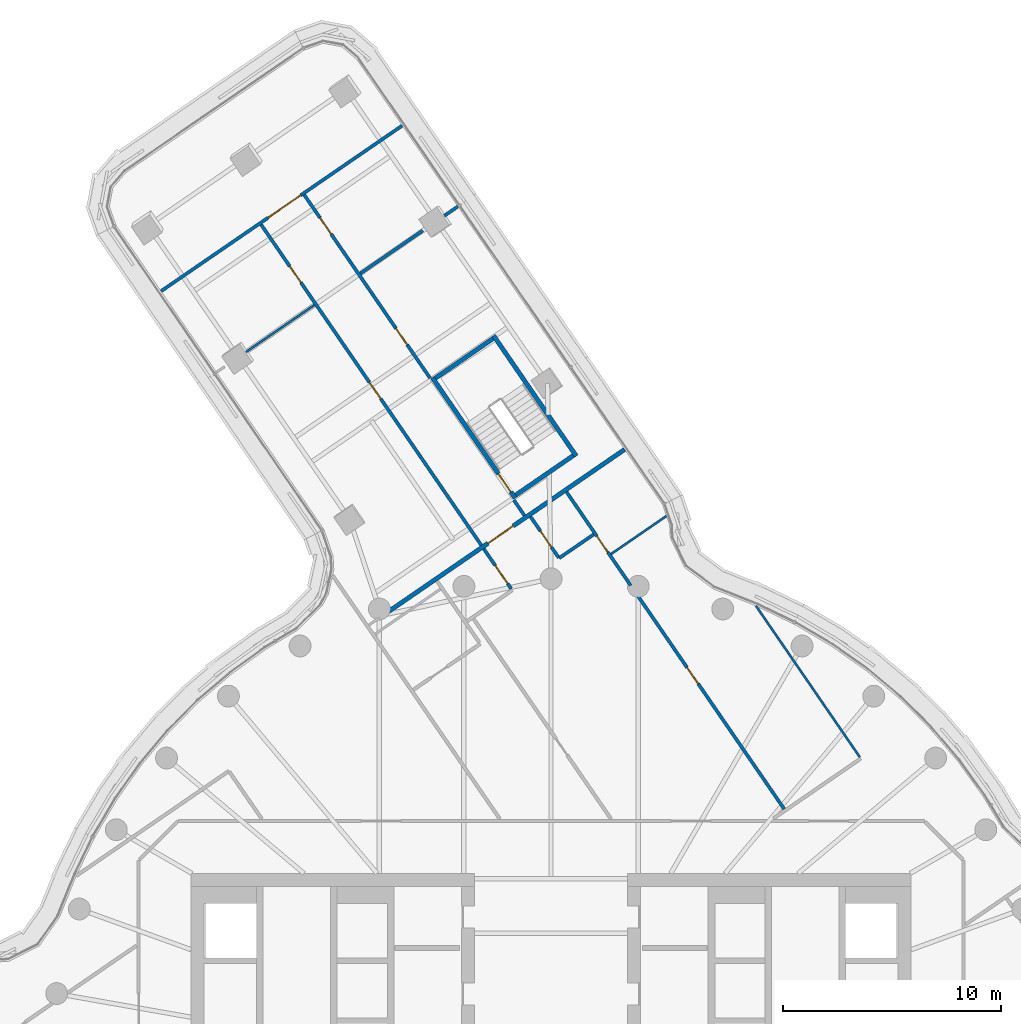
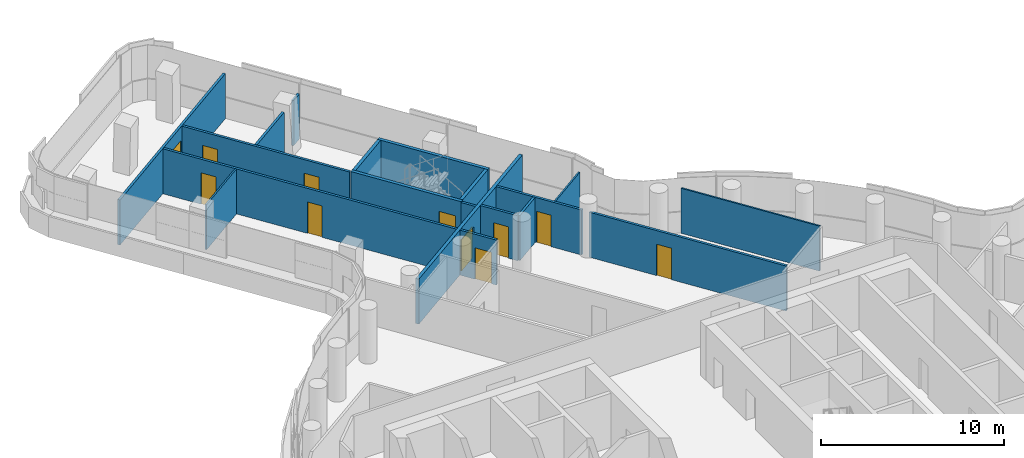
# One storey, part 25 of 33: 18 walls, 11 doors, 11 openings.
"""IFC4 building model written with IfcOpenShell, lengths in metres."""

from ifc_helpers import new_model, si_unit, direction, frame, frame_2d, origin, place, context, subcontext, project, spatial, polyline, rectangle, outline, extrude, material, layer, layer_set, type_object, element, fill, save


model = new_model("IFC4")

# Units and contexts
model_context = context("Model", 3, precision=1e-05, world=origin(), true_north=direction((0.0, 1.0)))
body_context = subcontext(model_context, "Body", "Model", "MODEL_VIEW")
ifc_project = project(units=[si_unit("LENGTHUNIT", "METRE"), si_unit("AREAUNIT", "SQUARE_METRE"), si_unit("VOLUMEUNIT", "CUBIC_METRE"), si_unit("PLANEANGLEUNIT", "RADIAN"), si_unit("MASSUNIT", "GRAM", prefix="KILO")], contexts=[model_context])

# Site, building, storey
site_placement = place(None, origin())
site = spatial("IfcSite", under=ifc_project, at=site_placement, CompositionType="ELEMENT")
building_placement = place(site_placement, origin())
building = spatial("IfcBuilding", under=site, at=building_placement, Name="Tamarind Cross Interchange Tower", CompositionType="ELEMENT")
storey_placement = place(building_placement, frame((0.0, 0.0, 159.25)))
storey = spatial("IfcBuildingStorey", under=building, at=storey_placement, Name="L39", CompositionType="ELEMENT", Elevation=159.25)

# Walls
ifc_material_1 = material(Name="Gypsum board partition on steel studs", Category="steel")
ifc_layer_1 = layer(ifc_material_1, 0.10009765625)
ifc_layer_set_1 = layer_set([ifc_layer_1], Name="Gypsum board partition on steel studs")
wall_type_1 = type_object("IfcWallType", Name="Partition 100 mm EI 90", PredefinedType="PARTITIONING", material=ifc_layer_set_1)
wall_1_placement = place(storey_placement, frame((9.3876953125, 21.755126953125, 0.0), z_axis=(0.0, 0.0, 1.0), x_axis=(0.566078955543, -0.824351027228, 0.0)))
element("IfcWall", 1, at=wall_1_placement, inside=storey, type_object=wall_type_1, Name="Partition L39-030", PredefinedType="PARTITIONING", context=body_context, shape_type="SweptSolid", body=[
    extrude(rectangle(XDim=8.408203125, YDim=0.10009765625, at=frame_2d((4.2041015625, 0.0))), origin(), (0.0, 0.0, 1.0), 3.010009765625),
])
wall_2_placement = place(storey_placement, frame((-13.970703125, 33.392333984375, 0.0), z_axis=(0.0, 0.0, 1.0), x_axis=(0.824274770578, 0.566189988069, 0.0)))
element("IfcWall", 2, at=wall_2_placement, inside=storey, type_object=wall_type_1, Name="Partition L39-052", PredefinedType="PARTITIONING", context=body_context, shape_type="SweptSolid", body=[
    extrude(rectangle(XDim=3.79248046875, YDim=0.10009765625, at=frame_2d((1.896240234375, 0.0))), origin(), (0.0, 0.0, 1.0), 3.010009765625),
])
wall_3_placement = place(storey_placement, frame((2.75146484375, 24.133056640625, 0.0), z_axis=(0.0, 0.0, 1.0), x_axis=(0.824324458203, 0.566117644672, 0.0)))
element("IfcWall", 3, at=wall_3_placement, inside=storey, type_object=wall_type_1, Name="Partition L39-058", PredefinedType="PARTITIONING", context=body_context, shape_type="SweptSolid", body=[
    extrude(rectangle(XDim=3.074951171875, YDim=0.10009765625, at=frame_2d((1.53759765625, 0.0))), origin(), (0.0, 0.0, 1.0), 3.010009765625),
])

# Wall, openings, doors
ifc_layer_2 = layer(ifc_material_1, 0.14990234375)
ifc_layer_set_2 = layer_set([ifc_layer_2], Name="Gypsum board partition on steel studs")
wall_type_2 = type_object("IfcWallType", Name="Partition 150 mm EI 120", PredefinedType="PARTITIONING", material=ifc_layer_set_2)
wall_4_placement = place(storey_placement, frame((-13.28466796875, 39.22509765625, 0.0), z_axis=(0.0, 0.0, 1.0), x_axis=(0.566080388425, -0.824350043271, 0.0)))
wall_4 = element("IfcWall", 4, at=wall_4_placement, inside=storey, type_object=wall_type_2, Name="Partition L39-013", PredefinedType="PARTITIONING", context=body_context, shape_type="SweptSolid", body=[
    extrude(rectangle(XDim=20.244384765625, YDim=0.14990234375, at=frame_2d((10.1220703125, 0.0))), origin(), (0.0, 0.0, 1.0), 3.010009765625),
])
opening_1_placement = place(wall_4_placement, frame((18.949951171875, 0.0, 0.0)))
opening_1 = element("IfcOpeningElement", 5, at=opening_1_placement, cuts=wall_4, Name="Opening D03", PredefinedType="OPENING", context=body_context, shape_type="SweptSolid", body=[
    extrude(rectangle(XDim=1.0, YDim=2.10009765625, at=frame_2d((0.5, 1.050048828125))), frame((0.0, 0.0849609375, 0.0), z_axis=(0.0, -1.0, 0.0), x_axis=(1.0, 0.0, 0.0)), (0.0, 0.0, 1.0), 0.169921875),
])
opening_2_placement = place(wall_4_placement, frame((8.769287109375, 0.0, 0.0)))
opening_2 = element("IfcOpeningElement", 6, at=opening_2_placement, cuts=wall_4, Name="Opening D04", PredefinedType="OPENING", context=body_context, shape_type="SweptSolid", body=[
    extrude(rectangle(XDim=0.89990234375, YDim=2.10009765625, at=frame_2d((0.449951171875, 1.050048828125))), frame((0.0, 0.0849609375, 0.0), z_axis=(0.0, -1.0, 0.0), x_axis=(1.0, 0.0, 0.0)), (0.0, 0.0, 1.0), 0.169921875),
])
opening_3_placement = place(wall_4_placement, frame((2.320068359375, 0.0, 0.0)))
opening_3 = element("IfcOpeningElement", 7, at=opening_3_placement, cuts=wall_4, Name="Opening D05", PredefinedType="OPENING", context=body_context, shape_type="SweptSolid", body=[
    extrude(rectangle(XDim=0.89990234375, YDim=2.10009765625, at=frame_2d((0.449951171875, 1.050048828125))), frame((0.0, 0.0849609375, 0.0), z_axis=(0.0, -1.0, 0.0), x_axis=(1.0, 0.0, 0.0)), (0.0, 0.0, 1.0), 0.169921875),
])
ifc_material_2 = material(Name="Fire-resisting door set")
door_type_1 = type_object("IfcDoorType", Name="Interior door 1000 x 2100 FD60S", OperationType="SINGLE_SWING_LEFT", PredefinedType="DOOR", material=ifc_material_2)
door_1_placement = place(opening_1_placement, frame((1.0, 0.0, 0.0), z_axis=(0.0, 0.0, 1.0), x_axis=(-1.0, 0.0, 0.0)))
door_1 = element("IfcDoor", 8, at=door_1_placement, inside=storey, type_object=door_type_1, Name="Door D03", OperationType="SINGLE_SWING_RIGHT", OverallHeight=2.10009765625, OverallWidth=1.0, PredefinedType="DOOR", context=body_context, shape_type="SweptSolid", body=[
    extrude(rectangle(XDim=1.0, YDim=2.10009765625, at=frame_2d((0.5, 1.050048828125))), frame((0.0, 0.02490234375, 0.0), z_axis=(0.0, -1.0, 0.0), x_axis=(1.0, 0.0, 0.0)), (0.0, 0.0, 1.0), 0.050048828125),
])
fill(opening_1, door_1)
door_type_2 = type_object("IfcDoorType", Name="Interior door 900 x 2100 FD60S", OperationType="SINGLE_SWING_LEFT", PredefinedType="DOOR", material=ifc_material_2)
door_2_placement = place(opening_2_placement, frame((0.89990234375, 0.0, 0.0), z_axis=(0.0, 0.0, 1.0), x_axis=(-1.0, 0.0, 0.0)))
door_2 = element("IfcDoor", 9, at=door_2_placement, inside=storey, type_object=door_type_2, Name="Door D04", OperationType="SINGLE_SWING_LEFT", OverallHeight=2.10009765625, OverallWidth=0.89990234375, PredefinedType="DOOR", context=body_context, shape_type="SweptSolid", body=[
    extrude(rectangle(XDim=0.89990234375, YDim=2.10009765625, at=frame_2d((0.449951171875, 1.050048828125))), frame((0.0, 0.02490234375, 0.0), z_axis=(0.0, -1.0, 0.0), x_axis=(1.0, 0.0, 0.0)), (0.0, 0.0, 1.0), 0.050048828125),
])
fill(opening_2, door_2)
door_3_placement = place(opening_3_placement, frame((0.89990234375, 0.0, 0.0), z_axis=(0.0, 0.0, 1.0), x_axis=(-1.0, 0.0, 0.0)))
door_3 = element("IfcDoor", 10, at=door_3_placement, inside=storey, type_object=door_type_2, Name="Door D05", OperationType="SINGLE_SWING_LEFT", OverallHeight=2.10009765625, OverallWidth=0.89990234375, PredefinedType="DOOR", context=body_context, shape_type="SweptSolid", body=[
    extrude(rectangle(XDim=0.89990234375, YDim=2.10009765625, at=frame_2d((0.449951171875, 1.050048828125))), frame((0.0, 0.02490234375, 0.0), z_axis=(0.0, -1.0, 0.0), x_axis=(1.0, 0.0, 0.0)), (0.0, 0.0, 1.0), 0.050048828125),
])
fill(opening_3, door_3)

wall_5_placement = place(storey_placement, frame((-11.306640625, 40.583984375, 0.0), z_axis=(0.0, 0.0, 1.0), x_axis=(0.566109403813, -0.82433011768, 0.0)))
wall_5 = element("IfcWall", 11, at=wall_5_placement, inside=storey, type_object=wall_type_2, Name="Partition L39-014", PredefinedType="PARTITIONING", context=body_context, shape_type="SweptSolid", body=[
    extrude(rectangle(XDim=10.179931640625, YDim=0.14990234375, at=frame_2d((5.08984375, 0.0))), origin(), (0.0, 0.0, 1.0), 3.010009765625),
])
opening_4_placement = place(wall_5_placement, frame((1.27001953125, 0.0, 0.0)))
opening_4 = element("IfcOpeningElement", 12, at=opening_4_placement, cuts=wall_5, Name="Opening D06", PredefinedType="OPENING", context=body_context, shape_type="SweptSolid", body=[
    extrude(rectangle(XDim=0.89990234375, YDim=2.10009765625, at=frame_2d((0.449951171875, 1.050048828125))), frame((0.0, 0.0849609375, 0.0), z_axis=(0.0, -1.0, 0.0), x_axis=(1.0, 0.0, 0.0)), (0.0, 0.0, 1.0), 0.169921875),
])
opening_5_placement = place(wall_5_placement, frame((7.420654296875, 0.0, 0.0)))
opening_5 = element("IfcOpeningElement", 13, at=opening_5_placement, cuts=wall_5, Name="Opening D07", PredefinedType="OPENING", context=body_context, shape_type="SweptSolid", body=[
    extrude(rectangle(XDim=0.89990234375, YDim=2.10009765625, at=frame_2d((0.449951171875, 1.050048828125))), frame((0.0, 0.0849609375, 0.0), z_axis=(0.0, -1.0, 0.0), x_axis=(1.0, 0.0, 0.0)), (0.0, 0.0, 1.0), 0.169921875),
])
door_4_placement = place(opening_4_placement, origin())
door_4 = element("IfcDoor", 14, at=door_4_placement, inside=storey, type_object=door_type_2, Name="Door D06", OperationType="SINGLE_SWING_RIGHT", OverallHeight=2.10009765625, OverallWidth=0.89990234375, PredefinedType="DOOR", context=body_context, shape_type="SweptSolid", body=[
    extrude(rectangle(XDim=0.89990234375, YDim=2.10009765625, at=frame_2d((0.449951171875, 1.050048828125))), frame((0.0, 0.02490234375, 0.0), z_axis=(0.0, -1.0, 0.0), x_axis=(1.0, 0.0, 0.0)), (0.0, 0.0, 1.0), 0.050048828125),
])
fill(opening_4, door_4)
door_5_placement = place(opening_5_placement, origin())
door_5 = element("IfcDoor", 15, at=door_5_placement, inside=storey, type_object=door_type_2, Name="Door D07", OperationType="SINGLE_SWING_LEFT", OverallHeight=2.10009765625, OverallWidth=0.89990234375, PredefinedType="DOOR", context=body_context, shape_type="SweptSolid", body=[
    extrude(rectangle(XDim=0.89990234375, YDim=2.10009765625, at=frame_2d((0.449951171875, 1.050048828125))), frame((0.0, 0.02490234375, 0.0), z_axis=(0.0, -1.0, 0.0), x_axis=(1.0, 0.0, 0.0)), (0.0, 0.0, 1.0), 0.050048828125),
])
fill(opening_5, door_5)

# Wall
wall_6_placement = place(storey_placement, frame((-1.705078125, 26.602783203125, 0.0), z_axis=(0.0, 0.0, 1.0), x_axis=(0.566118871714, -0.824323615511, 0.0)))
element("IfcWall", 16, at=wall_6_placement, inside=storey, type_object=wall_type_2, Name="Partition L39-015", PredefinedType="PARTITIONING", context=body_context, shape_type="SweptSolid", body=[
    extrude(rectangle(XDim=0.859375, YDim=0.14990234375, at=frame_2d((0.4296875, 0.0))), origin(), (0.0, 0.0, 1.0), 3.010009765625),
])

# Wall, opening, door
wall_7_placement = place(storey_placement, frame((-0.9404296875, 25.842529296875, 0.0), z_axis=(0.0, 0.0, 1.0), x_axis=(0.566260656611, -0.82422622427, 0.0)))
wall_7 = element("IfcWall", 17, at=wall_7_placement, inside=storey, type_object=wall_type_2, Name="Partition L39-023", PredefinedType="PARTITIONING", context=body_context, shape_type="SweptSolid", body=[
    extrude(rectangle(XDim=2.27978515625, YDim=0.14990234375, at=frame_2d((1.139892578125, 0.0))), origin(), (0.0, 0.0, 1.0), 3.010009765625),
])
opening_6_placement = place(wall_7_placement, frame((0.800048828125, 0.0, 0.0)))
opening_6 = element("IfcOpeningElement", 18, at=opening_6_placement, cuts=wall_7, Name="Opening D11", PredefinedType="OPENING", context=body_context, shape_type="SweptSolid", body=[
    extrude(rectangle(XDim=0.89990234375, YDim=2.10009765625, at=frame_2d((0.449951171875, 1.050048828125))), frame((0.0, 0.0849609375, 0.0), z_axis=(0.0, -1.0, 0.0), x_axis=(1.0, 0.0, 0.0)), (0.0, 0.0, 1.0), 0.169921875),
])
door_6_placement = place(opening_6_placement, origin())
door_6 = element("IfcDoor", 19, at=door_6_placement, inside=storey, type_object=door_type_2, Name="Door D11", OperationType="SINGLE_SWING_LEFT", OverallHeight=2.10009765625, OverallWidth=0.89990234375, PredefinedType="DOOR", context=body_context, shape_type="SweptSolid", body=[
    extrude(rectangle(XDim=0.89990234375, YDim=2.10009765625, at=frame_2d((0.449951171875, 1.050048828125))), frame((0.0, 0.02490234375, 0.0), z_axis=(0.0, -1.0, 0.0), x_axis=(1.0, 0.0, 0.0)), (0.0, 0.0, 1.0), 0.050048828125),
])
fill(opening_6, door_6)

wall_8_placement = place(storey_placement, frame((0.70849609375, 26.974609375, 0.0), z_axis=(0.0, 0.0, 1.0), x_axis=(0.565998885558, -0.824406005283, 0.0)))
wall_8 = element("IfcWall", 20, at=wall_8_placement, inside=storey, type_object=wall_type_2, Name="Partition L39-024", PredefinedType="PARTITIONING", context=body_context, shape_type="SweptSolid", body=[
    extrude(rectangle(XDim=5.201904296875, YDim=0.14990234375, at=frame_2d((2.60107421875, 0.0))), origin(), (0.0, 0.0, 1.0), 3.010009765625),
])
opening_7_placement = place(wall_8_placement, frame((2.44921875, 0.0, 0.0)))
opening_7 = element("IfcOpeningElement", 21, at=opening_7_placement, cuts=wall_8, Name="Opening D12", PredefinedType="OPENING", context=body_context, shape_type="SweptSolid", body=[
    extrude(rectangle(XDim=0.89990234375, YDim=2.10009765625, at=frame_2d((0.449951171875, 1.050048828125))), frame((0.0, 0.0849609375, 0.0), z_axis=(0.0, -1.0, 0.0), x_axis=(1.0, 0.0, 0.0)), (0.0, 0.0, 1.0), 0.169921875),
])
door_7_placement = place(opening_7_placement, origin())
door_7 = element("IfcDoor", 22, at=door_7_placement, inside=storey, type_object=door_type_2, Name="Door D12", OperationType="SINGLE_SWING_LEFT", OverallHeight=2.10009765625, OverallWidth=0.89990234375, PredefinedType="DOOR", context=body_context, shape_type="SweptSolid", body=[
    extrude(rectangle(XDim=0.89990234375, YDim=2.10009765625, at=frame_2d((0.449951171875, 1.050048828125))), frame((0.0, 0.02490234375, 0.0), z_axis=(0.0, -1.0, 0.0), x_axis=(1.0, 0.0, 0.0)), (0.0, 0.0, 1.0), 0.050048828125),
])
fill(opening_7, door_7)

wall_9_placement = place(storey_placement, frame((3.907470703125, 22.315185546875, 0.0), z_axis=(0.0, 0.0, 1.0), x_axis=(0.565998846093, -0.824406032378, 0.0)))
wall_9 = element("IfcWall", 23, at=wall_9_placement, inside=storey, type_object=wall_type_2, Name="Partition L39-025", PredefinedType="PARTITIONING", context=body_context, shape_type="SweptSolid", body=[
    extrude(rectangle(XDim=11.9677734375, YDim=0.14990234375, at=frame_2d((5.98388671875, 0.0))), origin(), (0.0, 0.0, 1.0), 3.010009765625),
])
opening_8_placement = place(wall_9_placement, frame((4.1025390625, 0.0, 0.0)))
opening_8 = element("IfcOpeningElement", 24, at=opening_8_placement, cuts=wall_9, Name="Opening D13", PredefinedType="OPENING", context=body_context, shape_type="SweptSolid", body=[
    extrude(rectangle(XDim=0.89990234375, YDim=2.10009765625, at=frame_2d((0.449951171875, 1.050048828125))), frame((0.0, 0.0849609375, 0.0), z_axis=(0.0, -1.0, 0.0), x_axis=(1.0, 0.0, 0.0)), (0.0, 0.0, 1.0), 0.169921875),
])
door_8_placement = place(opening_8_placement, origin())
door_8 = element("IfcDoor", 25, at=door_8_placement, inside=storey, type_object=door_type_2, Name="Door D13", OperationType="SINGLE_SWING_RIGHT", OverallHeight=2.10009765625, OverallWidth=0.89990234375, PredefinedType="DOOR", context=body_context, shape_type="SweptSolid", body=[
    extrude(rectangle(XDim=0.89990234375, YDim=2.10009765625, at=frame_2d((0.449951171875, 1.050048828125))), frame((0.0, 0.02490234375, 0.0), z_axis=(0.0, -1.0, 0.0), x_axis=(1.0, 0.0, 0.0)), (0.0, 0.0, 1.0), 0.050048828125),
])
fill(opening_8, door_8)

wall_10_placement = place(storey_placement, frame((-17.869873046875, 36.173828125, 0.0), z_axis=(0.0, 0.0, 1.0), x_axis=(0.824379721358, 0.566037167519, 0.0)))
wall_10 = element("IfcWall", 26, at=wall_10_placement, inside=storey, type_object=wall_type_2, Name="Partition L39-050", PredefinedType="PARTITIONING", context=body_context, shape_type="SweptSolid", body=[
    extrude(rectangle(XDim=13.40625, YDim=0.14990234375, at=frame_2d((6.703125, 0.0))), origin(), (0.0, 0.0, 1.0), 3.010009765625),
])
opening_9_placement = place(wall_10_placement, frame((5.956787109375, 0.0, 0.0)))
opening_9 = element("IfcOpeningElement", 27, at=opening_9_placement, cuts=wall_10, Name="Opening D32", PredefinedType="OPENING", context=body_context, shape_type="SweptSolid", body=[
    extrude(rectangle(XDim=1.800048828125, YDim=2.10009765625, at=frame_2d((0.89990234375, 1.050048828125))), frame((0.0, 0.0849609375, 0.0), z_axis=(0.0, -1.0, 0.0), x_axis=(1.0, 0.0, 0.0)), (0.0, 0.0, 1.0), 0.169921875),
])
door_type_3 = type_object("IfcDoorType", Name="Interior door 1800 x 2100 FD60S", OperationType="DOUBLE_DOOR_SINGLE_SWING", PredefinedType="DOOR", material=ifc_material_2)
door_9_placement = place(opening_9_placement, origin())
door_9 = element("IfcDoor", 28, at=door_9_placement, inside=storey, type_object=door_type_3, Name="Door D32", OperationType="DOUBLE_DOOR_SINGLE_SWING", OverallHeight=2.10009765625, OverallWidth=1.800048828125, PredefinedType="DOOR", context=body_context, shape_type="SweptSolid", body=[
    extrude(rectangle(XDim=1.800048828125, YDim=2.10009765625, at=frame_2d((0.89990234375, 1.050048828125))), frame((0.0, 0.02490234375, 0.0), z_axis=(0.0, -1.0, 0.0), x_axis=(1.0, 0.0, 0.0)), (0.0, 0.0, 1.0), 0.050048828125),
])
fill(opening_9, door_9)

# Walls
wall_11_placement = place(storey_placement, frame((-8.73876953125, 36.986083984375, 0.0), z_axis=(0.0, 0.0, 1.0), x_axis=(0.824277823442, 0.5661855436, 0.0)))
element("IfcWall", 29, at=wall_11_placement, inside=storey, type_object=wall_type_2, Name="Partition L39-053", PredefinedType="PARTITIONING", context=body_context, shape_type="SweptSolid", body=[
    extrude(rectangle(XDim=3.4716796875, YDim=0.14990234375, at=frame_2d((1.73583984375, 0.0))), origin(), (0.0, 0.0, 1.0), 3.010009765625),
])
wall_12_placement = place(storey_placement, frame((-4.889404296875, 39.63037109375, 0.0), z_axis=(0.0, 0.0, 1.0), x_axis=(0.824298613436, 0.566155275421, 0.0)))
element("IfcWall", 30, at=wall_12_placement, inside=storey, type_object=wall_type_2, Name="Partition L39-054", PredefinedType="PARTITIONING", context=body_context, shape_type="SweptSolid", body=[
    extrude(rectangle(XDim=0.7490234375, YDim=0.14990234375, at=frame_2d((0.37451171875, 0.0))), origin(), (0.0, 0.0, 1.0), 3.010009765625),
])
wall_13_placement = place(storey_placement, frame((0.36572265625, 23.94140625, 0.0), z_axis=(0.0, 0.0, 1.0), x_axis=(0.82505756901, 0.565048677389, 0.0)))
element("IfcWall", 31, at=wall_13_placement, inside=storey, type_object=wall_type_2, Name="Partition L39-062", PredefinedType="PARTITIONING", context=body_context, shape_type="SweptSolid", body=[
    extrude(rectangle(XDim=1.919189453125, YDim=0.14990234375, at=frame_2d((0.95947265625, 0.0))), origin(), (0.0, 0.0, 1.0), 3.010009765625),
])

# Wall, opening, door
ifc_layer_3 = layer(ifc_material_1, 0.199951171875)
ifc_layer_set_3 = layer_set([ifc_layer_3], Name="Gypsum board partition on steel studs")
wall_type_3 = type_object("IfcWallType", Name="Partition 200 mm EI 180", PredefinedType="PARTITIONING", material=ifc_layer_set_3)
wall_14_placement = place(storey_placement, frame((-7.489990234375, 21.46630859375, 0.0), z_axis=(0.0, 0.0, 1.0), x_axis=(0.824395355521, 0.566014397162, 0.0)))
wall_14 = element("IfcWall", 32, at=wall_14_placement, inside=storey, type_object=wall_type_3, Name="Partition L39-060", PredefinedType="PARTITIONING", context=body_context, shape_type="SweptSolid", body=[
    extrude(rectangle(XDim=13.175537109375, YDim=0.199951171875, at=frame_2d((6.587890625, 0.0))), origin(), (0.0, 0.0, 1.0), 3.010009765625),
])
opening_10_placement = place(wall_14_placement, frame((5.576416015625, 0.0, 0.0)))
opening_10 = element("IfcOpeningElement", 33, at=opening_10_placement, cuts=wall_14, Name="Opening D34", PredefinedType="OPENING", context=body_context, shape_type="SweptSolid", body=[
    extrude(rectangle(XDim=1.39990234375, YDim=2.10009765625, at=frame_2d((0.699951171875, 1.050048828125))), frame((0.0, 0.10986328125, 0.0), z_axis=(0.0, -1.0, 0.0), x_axis=(1.0, 0.0, 0.0)), (0.0, 0.0, 1.0), 0.219970703125),
])
door_type_4 = type_object("IfcDoorType", Name="Interior door 1400 x 2100 FD120S", OperationType="DOUBLE_DOOR_SINGLE_SWING", PredefinedType="DOOR", material=ifc_material_2)
door_10_placement = place(opening_10_placement, frame((1.39990234375, 0.0, 0.0), z_axis=(0.0, 0.0, 1.0), x_axis=(-1.0, 0.0, 0.0)))
door_10 = element("IfcDoor", 34, at=door_10_placement, inside=storey, type_object=door_type_4, Name="Door D34", OperationType="DOUBLE_DOOR_SINGLE_SWING", OverallHeight=2.10009765625, OverallWidth=1.39990234375, PredefinedType="DOOR", context=body_context, shape_type="SweptSolid", body=[
    extrude(rectangle(XDim=1.39990234375, YDim=2.10009765625, at=frame_2d((0.699951171875, 1.050048828125))), frame((0.0, 0.02490234375, 0.0), z_axis=(0.0, -1.0, 0.0), x_axis=(1.0, 0.0, 0.0)), (0.0, 0.0, 1.0), 0.050048828125),
])
fill(opening_10, door_10)

ifc_material_3 = material(Name="Concrete C40", Category="concrete")
ifc_layer_4 = layer(ifc_material_3, 0.199951171875)
ifc_layer_set_4 = layer_set([ifc_layer_4], Name="Concrete C40")
wall_type_4 = type_object("IfcWallType", Name="Stair shaft wall 200 mm Concrete C40", PredefinedType="SHEAR", material=ifc_layer_set_4)
wall_15_placement = place(storey_placement, frame((-1.6455078125, 26.69287109375, -0.139892578125), z_axis=(0.0, 0.0, 1.0), x_axis=(-0.566117387095, 0.824324635097, 0.0)))
wall_15 = element("IfcWall", 35, at=wall_15_placement, inside=storey, type_object=wall_type_4, Name="Core wall CWL-L39-ST4-H", PredefinedType="SHEAR", context=body_context, shape_type="SweptSolid", body=[
    extrude(rectangle(XDim=6.699951171875, YDim=0.199951171875, at=frame_2d((3.35009765625, 0.0))), origin(), (0.0, 0.0, 1.0), 3.14990234375),
])
opening_11_placement = place(wall_15_placement, frame((0.35009765625, 0.0, 0.0)))
opening_11 = element("IfcOpeningElement", 36, at=opening_11_placement, cuts=wall_15, Name="Opening ST4L39", PredefinedType="OPENING", context=body_context, shape_type="SweptSolid", body=[
    extrude(rectangle(XDim=1.0, YDim=2.10009765625, at=frame_2d((0.5, 1.050048828125))), frame((0.0, 0.10986328125, 0.0), z_axis=(0.0, -1.0, 0.0), x_axis=(1.0, 0.0, 0.0)), (0.0, 0.0, 1.0), 0.219970703125),
])
ifc_material_4 = material(Name="Steel, fire-resisting", Category="steel")
door_type_5 = type_object("IfcDoorType", Name="Core fire door 1000 x 2100 FD90", OperationType="SINGLE_SWING_LEFT", PredefinedType="DOOR", material=ifc_material_4)
door_11_placement = place(opening_11_placement, origin())
door_11 = element("IfcDoor", 37, at=door_11_placement, inside=storey, type_object=door_type_5, Name="L39 stair door ST4", OperationType="SINGLE_SWING_LEFT", OverallHeight=2.10009765625, OverallWidth=1.0, PredefinedType="DOOR", context=body_context, shape_type="SweptSolid", body=[
    extrude(rectangle(XDim=1.0, YDim=2.10009765625, at=frame_2d((0.5, 1.050048828125))), frame((0.0, 0.02490234375, 0.0), z_axis=(0.0, -1.0, 0.0), x_axis=(1.0, 0.0, 0.0)), (0.0, 0.0, 1.0), 0.050048828125),
])
fill(opening_11, door_11)

# Walls
wall_16_placement = place(storey_placement, frame((1.156982421875, 28.617431640625, -0.139892578125), z_axis=(0.0, 0.0, 1.0), x_axis=(-0.566075621189, 0.824353316907, 0.0)))
element("IfcWall", 38, at=wall_16_placement, inside=storey, type_object=wall_type_4, Name="Core wall CWL-L39-ST4-C", PredefinedType="SHEAR", context=body_context, shape_type="SweptSolid", body=[
    extrude(rectangle(XDim=6.699951171875, YDim=0.199951171875, at=frame_2d((3.35009765625, 0.0))), origin(), (0.0, 0.0, 1.0), 3.14990234375),
])
wall_17_placement = place(storey_placement, frame((1.01806640625, 28.643310546875, -0.139892578125), z_axis=(0.0, 0.0, 1.0), x_axis=(-0.824342324494, -0.566091628667, 0.0)))
element("IfcWall", 39, at=wall_17_placement, inside=storey, type_object=wall_type_4, Name="Core wall CWL-L39-ST4-CE", PredefinedType="SHEAR", context=body_context, shape_type="SweptSolid", body=[
    extrude(rectangle(XDim=3.199951171875, YDim=0.199951171875, at=frame_2d((1.60009765625, 0.0))), origin(), (0.0, 0.0, 1.0), 3.14990234375),
])
wall_18_placement = place(storey_placement, frame((0.0, 0.0, -0.139892578125)))
element("IfcWall", 40, at=wall_18_placement, inside=storey, type_object=wall_type_4, Name="Core wall CWL-L39-ST4-CF", PredefinedType="SHEAR", context=body_context, shape_type="SweptSolid", body=[
    extrude(outline(polyline([(-2.60498046875, 33.919189453125), (-2.718017578125, 34.083984375), (-5.35595703125, 32.2724609375), (-5.242919921875, 32.107666015625), (-2.60498046875, 33.919189453125)])), origin(), (0.0, 0.0, 1.0), 3.14990234375),
])

save(model, "model.ifc")
